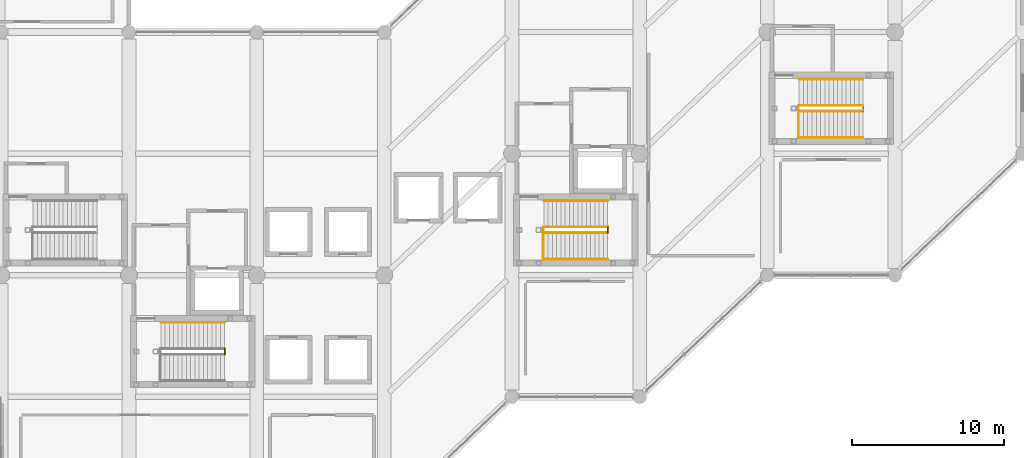
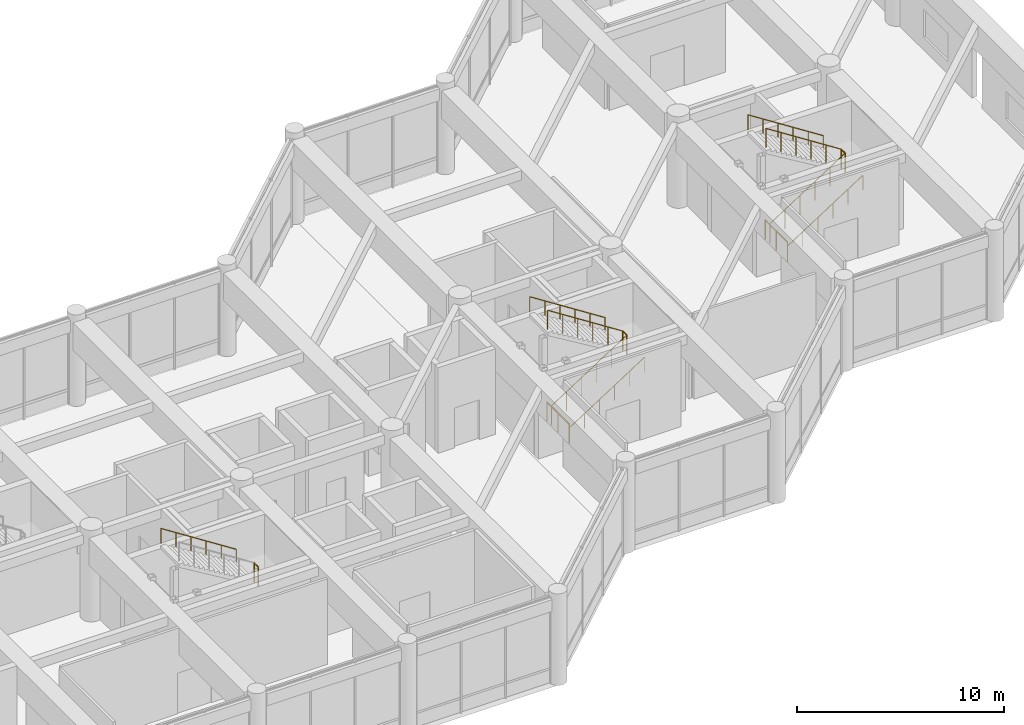
# One storey, part 79 of 79: 14 railings.
"""IFC4 building model written with IfcOpenShell, lengths in metres."""

from ifc_helpers import new_model, si_unit, direction, frame, origin, origin_2d, place, context, subcontext, project, spatial, circle, extrude, material, layer, layer_set, type_object, element, save


model = new_model("IFC4")

# Units and contexts
model_context = context("Model", 3, precision=1e-05, world=origin(), true_north=direction((0.0, 1.0)))
body_context = subcontext(model_context, "Body", "Model", "MODEL_VIEW")
ifc_project = project(units=[si_unit("LENGTHUNIT", "METRE"), si_unit("AREAUNIT", "SQUARE_METRE"), si_unit("VOLUMEUNIT", "CUBIC_METRE"), si_unit("PLANEANGLEUNIT", "RADIAN"), si_unit("MASSUNIT", "GRAM", prefix="KILO")], contexts=[model_context])

# Site, building, storey
site_placement = place(None, origin())
site = spatial("IfcSite", under=ifc_project, at=site_placement, CompositionType="ELEMENT")
building_placement = place(site_placement, origin())
building = spatial("IfcBuilding", under=site, at=building_placement, Name="Naruveol Harbour Congress Hotel", CompositionType="ELEMENT")
storey_placement = place(building_placement, frame((0.0, 0.0, 6.0)))
storey = spatial("IfcBuildingStorey", under=building, at=storey_placement, Name="L01", CompositionType="ELEMENT", Elevation=6.0)

# Railings
ifc_material_1 = material(Name="Stainless Steel 304", Category="steel")
ifc_layer_1 = layer(ifc_material_1, 0.0419921875)
ifc_layer_set_1 = layer_set([ifc_layer_1], Name="Stainless Steel 304")
railing_type_1 = type_object("IfcRailingType", Name="STAIR WALL MOUNTED HANDRAIL 900", PredefinedType="HANDRAIL", material=ifc_layer_set_1)
railing_1_placement = place(storey_placement, frame((132.300048828125, 12.89990234375, 2.699951171875)))
element("IfcRailing", 1, at=railing_1_placement, inside=storey, type_object=railing_type_1, Name="Stair ST1 L01 upper wall handrail", PredefinedType="HANDRAIL", context=body_context, shape_type="SweptSolid", body=[
    extrude(circle(Radius=0.02392578125, at=origin_2d()), frame((0.0, 0.0, 0.8759765625), z_axis=(-0.841180064094, 0.0, 0.540755119968), x_axis=(0.0, -1.0, 0.0)), (0.0, 0.0, 1.0), 4.992919921875),
    extrude(circle(Radius=0.02099609375, at=origin_2d()), origin(), (0.0, 0.0, 1.0), 0.851806640625),
    extrude(circle(Radius=0.02099609375, at=origin_2d()), frame((-0.840087890625, 0.0, 0.5400390625)), (0.0, 0.0, 1.0), 0.851806640625),
    extrude(circle(Radius=0.02099609375, at=origin_2d()), frame((-1.679931640625, 0.0, 1.080078125)), (0.0, 0.0, 1.0), 0.851806640625),
    extrude(circle(Radius=0.02099609375, at=origin_2d()), frame((-2.52001953125, 0.0, 1.619873046875)), (0.0, 0.0, 1.0), 0.851806640625),
    extrude(circle(Radius=0.02099609375, at=origin_2d()), frame((-3.35986328125, 0.0, 2.159912109375)), (0.0, 0.0, 1.0), 0.851806640625),
    extrude(circle(Radius=0.02099609375, at=origin_2d()), frame((-4.199951171875, 0.0, 2.699951171875)), (0.0, 0.0, 1.0), 0.851806640625),
])
railing_2_placement = place(storey_placement, frame((153.300048828125, 17.06005859375, 0.0)))
element("IfcRailing", 2, at=railing_2_placement, inside=storey, type_object=railing_type_1, Name="Stair ST2 L01 lower wall handrail", PredefinedType="HANDRAIL", context=body_context, shape_type="SweptSolid", body=[
    extrude(circle(Radius=0.02392578125, at=origin_2d()), frame((0.0, 0.0, 0.8759765625), z_axis=(0.841180064094, 0.0, 0.540755119968), x_axis=(0.0, 1.0, 0.0)), (0.0, 0.0, 1.0), 4.992919921875),
    extrude(circle(Radius=0.02099609375, at=origin_2d()), origin(), (0.0, 0.0, 1.0), 0.851806640625),
    extrude(circle(Radius=0.02099609375, at=origin_2d()), frame((0.840087890625, 0.0, 0.5400390625)), (0.0, 0.0, 1.0), 0.851806640625),
    extrude(circle(Radius=0.02099609375, at=origin_2d()), frame((1.679931640625, 0.0, 1.080078125)), (0.0, 0.0, 1.0), 0.851806640625),
    extrude(circle(Radius=0.02099609375, at=origin_2d()), frame((2.52001953125, 0.0, 1.619873046875)), (0.0, 0.0, 1.0), 0.851806640625),
    extrude(circle(Radius=0.02099609375, at=origin_2d()), frame((3.35986328125, 0.0, 2.159912109375)), (0.0, 0.0, 1.0), 0.851806640625),
    extrude(circle(Radius=0.02099609375, at=origin_2d()), frame((4.199951171875, 0.0, 2.699951171875)), (0.0, 0.0, 1.0), 0.851806640625),
])
railing_3_placement = place(storey_placement, frame((157.5, 20.89990234375, 2.699951171875)))
element("IfcRailing", 3, at=railing_3_placement, inside=storey, type_object=railing_type_1, Name="Stair ST2 L01 upper wall handrail", PredefinedType="HANDRAIL", context=body_context, shape_type="SweptSolid", body=[
    extrude(circle(Radius=0.02392578125, at=origin_2d()), frame((0.0, 0.0, 0.8759765625), z_axis=(-0.841180064094, 0.0, 0.540755119968), x_axis=(0.0, -1.0, 0.0)), (0.0, 0.0, 1.0), 4.992919921875),
    extrude(circle(Radius=0.02099609375, at=origin_2d()), origin(), (0.0, 0.0, 1.0), 0.851806640625),
    extrude(circle(Radius=0.02099609375, at=origin_2d()), frame((-0.840087890625, 0.0, 0.5400390625)), (0.0, 0.0, 1.0), 0.851806640625),
    extrude(circle(Radius=0.02099609375, at=origin_2d()), frame((-1.679931640625, 0.0, 1.080078125)), (0.0, 0.0, 1.0), 0.851806640625),
    extrude(circle(Radius=0.02099609375, at=origin_2d()), frame((-2.52001953125, 0.0, 1.619873046875)), (0.0, 0.0, 1.0), 0.851806640625),
    extrude(circle(Radius=0.02099609375, at=origin_2d()), frame((-3.35986328125, 0.0, 2.159912109375)), (0.0, 0.0, 1.0), 0.851806640625),
    extrude(circle(Radius=0.02099609375, at=origin_2d()), frame((-4.199951171875, 0.0, 2.699951171875)), (0.0, 0.0, 1.0), 0.851806640625),
])
railing_4_placement = place(storey_placement, frame((170.10009765625, 25.06005859375, 0.0)))
element("IfcRailing", 4, at=railing_4_placement, inside=storey, type_object=railing_type_1, Name="Stair ST4 L01 lower wall handrail", PredefinedType="HANDRAIL", context=body_context, shape_type="SweptSolid", body=[
    extrude(circle(Radius=0.02392578125, at=origin_2d()), frame((0.0, 0.0, 0.8759765625), z_axis=(0.841180064094, 0.0, 0.540755119968), x_axis=(0.0, 1.0, 0.0)), (0.0, 0.0, 1.0), 4.992919921875),
    extrude(circle(Radius=0.02099609375, at=origin_2d()), origin(), (0.0, 0.0, 1.0), 0.851806640625),
    extrude(circle(Radius=0.02099609375, at=origin_2d()), frame((0.840087890625, 0.0, 0.5400390625)), (0.0, 0.0, 1.0), 0.851806640625),
    extrude(circle(Radius=0.02099609375, at=origin_2d()), frame((1.679931640625, 0.0, 1.080078125)), (0.0, 0.0, 1.0), 0.851806640625),
    extrude(circle(Radius=0.02099609375, at=origin_2d()), frame((2.52001953125, 0.0, 1.619873046875)), (0.0, 0.0, 1.0), 0.851806640625),
    extrude(circle(Radius=0.02099609375, at=origin_2d()), frame((3.35986328125, 0.0, 2.159912109375)), (0.0, 0.0, 1.0), 0.851806640625),
    extrude(circle(Radius=0.02099609375, at=origin_2d()), frame((4.199951171875, 0.0, 2.699951171875)), (0.0, 0.0, 1.0), 0.851806640625),
])
railing_5_placement = place(storey_placement, frame((174.300048828125, 28.89990234375, 2.699951171875)))
element("IfcRailing", 5, at=railing_5_placement, inside=storey, type_object=railing_type_1, Name="Stair ST4 L01 upper wall handrail", PredefinedType="HANDRAIL", context=body_context, shape_type="SweptSolid", body=[
    extrude(circle(Radius=0.02392578125, at=origin_2d()), frame((0.0, 0.0, 0.8759765625), z_axis=(-0.841180064094, 0.0, 0.540755119968), x_axis=(0.0, -1.0, 0.0)), (0.0, 0.0, 1.0), 4.992919921875),
    extrude(circle(Radius=0.02099609375, at=origin_2d()), origin(), (0.0, 0.0, 1.0), 0.851806640625),
    extrude(circle(Radius=0.02099609375, at=origin_2d()), frame((-0.840087890625, 0.0, 0.5400390625)), (0.0, 0.0, 1.0), 0.851806640625),
    extrude(circle(Radius=0.02099609375, at=origin_2d()), frame((-1.679931640625, 0.0, 1.080078125)), (0.0, 0.0, 1.0), 0.851806640625),
    extrude(circle(Radius=0.02099609375, at=origin_2d()), frame((-2.52001953125, 0.0, 1.619873046875)), (0.0, 0.0, 1.0), 0.851806640625),
    extrude(circle(Radius=0.02099609375, at=origin_2d()), frame((-3.35986328125, 0.0, 2.159912109375)), (0.0, 0.0, 1.0), 0.851806640625),
    extrude(circle(Radius=0.02099609375, at=origin_2d()), frame((-4.199951171875, 0.0, 2.699951171875)), (0.0, 0.0, 1.0), 0.851806640625),
])
ifc_material_2 = material(Name="Steel SN490", Category="steel")
ifc_layer_2 = layer(ifc_material_2, 0.044921875)
ifc_layer_set_2 = layer_set([ifc_layer_2], Name="Steel SN490")
railing_type_2 = type_object("IfcRailingType", Name="STAIRWELL STEEL GUARDRAIL 1150", PredefinedType="GUARDRAIL", material=ifc_layer_set_2)
railing_6_placement = place(storey_placement, frame((132.300048828125, 10.7900390625, 2.699951171875)))
element("IfcRailing", 6, at=railing_6_placement, inside=storey, type_object=railing_type_2, Name="Stair ST1 L01 half-landing slot guard", PredefinedType="GUARDRAIL", context=body_context, shape_type="SweptSolid", body=[
    extrude(circle(Radius=0.02392578125, at=origin_2d()), frame((0.0, 0.0, 1.1259765625), z_axis=(0.0, 1.0, 0.0), x_axis=(-1.0, 0.0, 0.0)), (0.0, 0.0, 1.0), 0.3798828125),
    extrude(circle(Radius=0.02099609375, at=origin_2d()), origin(), (0.0, 0.0, 1.0), 1.101806640625),
    extrude(circle(Radius=0.02099609375, at=origin_2d()), frame((0.0, 0.3798828125, 0.0)), (0.0, 0.0, 1.0), 1.101806640625),
])
railing_7_placement = place(storey_placement, frame((153.300048828125, 18.7900390625, 0.0)))
element("IfcRailing", 7, at=railing_7_placement, inside=storey, type_object=railing_type_2, Name="Stair ST2 L01 lower well guard", PredefinedType="GUARDRAIL", context=body_context, shape_type="SweptSolid", body=[
    extrude(circle(Radius=0.02392578125, at=origin_2d()), frame((0.0, 0.0, 1.1259765625), z_axis=(0.841180064094, 0.0, 0.540755119968), x_axis=(0.0, 1.0, 0.0)), (0.0, 0.0, 1.0), 4.992919921875),
    extrude(circle(Radius=0.02099609375, at=origin_2d()), origin(), (0.0, 0.0, 1.0), 1.101806640625),
    extrude(circle(Radius=0.02099609375, at=origin_2d()), frame((0.840087890625, 0.0, 0.5400390625)), (0.0, 0.0, 1.0), 1.101806640625),
    extrude(circle(Radius=0.02099609375, at=origin_2d()), frame((1.679931640625, 0.0, 1.080078125)), (0.0, 0.0, 1.0), 1.101806640625),
    extrude(circle(Radius=0.02099609375, at=origin_2d()), frame((2.52001953125, 0.0, 1.619873046875)), (0.0, 0.0, 1.0), 1.101806640625),
    extrude(circle(Radius=0.02099609375, at=origin_2d()), frame((3.35986328125, 0.0, 2.159912109375)), (0.0, 0.0, 1.0), 1.101806640625),
    extrude(circle(Radius=0.02099609375, at=origin_2d()), frame((4.199951171875, 0.0, 2.699951171875)), (0.0, 0.0, 1.0), 1.101806640625),
])
railing_8_placement = place(storey_placement, frame((157.5, 18.7900390625, 2.699951171875)))
element("IfcRailing", 8, at=railing_8_placement, inside=storey, type_object=railing_type_2, Name="Stair ST2 L01 half-landing slot guard", PredefinedType="GUARDRAIL", context=body_context, shape_type="SweptSolid", body=[
    extrude(circle(Radius=0.02392578125, at=origin_2d()), frame((0.0, 0.0, 1.1259765625), z_axis=(0.0, 1.0, 0.0), x_axis=(-1.0, 0.0, 0.0)), (0.0, 0.0, 1.0), 0.3798828125),
    extrude(circle(Radius=0.02099609375, at=origin_2d()), origin(), (0.0, 0.0, 1.0), 1.101806640625),
    extrude(circle(Radius=0.02099609375, at=origin_2d()), frame((0.0, 0.3798828125, 0.0)), (0.0, 0.0, 1.0), 1.101806640625),
])
railing_9_placement = place(storey_placement, frame((157.5, 19.169921875, 2.699951171875)))
element("IfcRailing", 9, at=railing_9_placement, inside=storey, type_object=railing_type_2, Name="Stair ST2 L01 upper well guard", PredefinedType="GUARDRAIL", context=body_context, shape_type="SweptSolid", body=[
    extrude(circle(Radius=0.02392578125, at=origin_2d()), frame((0.0, 0.0, 1.1259765625), z_axis=(-0.841180064094, 0.0, 0.540755119968), x_axis=(0.0, -1.0, 0.0)), (0.0, 0.0, 1.0), 4.992919921875),
    extrude(circle(Radius=0.02099609375, at=origin_2d()), origin(), (0.0, 0.0, 1.0), 1.101806640625),
    extrude(circle(Radius=0.02099609375, at=origin_2d()), frame((-0.840087890625, 0.0, 0.5400390625)), (0.0, 0.0, 1.0), 1.101806640625),
    extrude(circle(Radius=0.02099609375, at=origin_2d()), frame((-1.679931640625, 0.0, 1.080078125)), (0.0, 0.0, 1.0), 1.101806640625),
    extrude(circle(Radius=0.02099609375, at=origin_2d()), frame((-2.52001953125, 0.0, 1.619873046875)), (0.0, 0.0, 1.0), 1.101806640625),
    extrude(circle(Radius=0.02099609375, at=origin_2d()), frame((-3.35986328125, 0.0, 2.159912109375)), (0.0, 0.0, 1.0), 1.101806640625),
    extrude(circle(Radius=0.02099609375, at=origin_2d()), frame((-4.199951171875, 0.0, 2.699951171875)), (0.0, 0.0, 1.0), 1.101806640625),
])
railing_10_placement = place(storey_placement, frame((153.260009765625, 17.02001953125, 0.0)))
element("IfcRailing", 10, at=railing_10_placement, inside=storey, type_object=railing_type_2, Name="Stair ST2 L01 landing well guard", PredefinedType="GUARDRAIL", context=body_context, shape_type="SweptSolid", body=[
    extrude(circle(Radius=0.02392578125, at=origin_2d()), frame((0.0, 0.0, 1.1259765625), z_axis=(0.0, 1.0, 0.0), x_axis=(-1.0, 0.0, 0.0)), (0.0, 0.0, 1.0), 2.14990234375),
    extrude(circle(Radius=0.02099609375, at=origin_2d()), origin(), (0.0, 0.0, 1.0), 1.101806640625),
    extrude(circle(Radius=0.02099609375, at=origin_2d()), frame((0.0, 1.074951171875, 0.0)), (0.0, 0.0, 1.0), 1.101806640625),
    extrude(circle(Radius=0.02099609375, at=origin_2d()), frame((0.0, 2.14990234375, 0.0)), (0.0, 0.0, 1.0), 1.101806640625),
])
railing_11_placement = place(storey_placement, frame((170.10009765625, 26.7900390625, 0.0)))
element("IfcRailing", 11, at=railing_11_placement, inside=storey, type_object=railing_type_2, Name="Stair ST4 L01 lower well guard", PredefinedType="GUARDRAIL", context=body_context, shape_type="SweptSolid", body=[
    extrude(circle(Radius=0.02392578125, at=origin_2d()), frame((0.0, 0.0, 1.1259765625), z_axis=(0.841180064094, 0.0, 0.540755119968), x_axis=(0.0, 1.0, 0.0)), (0.0, 0.0, 1.0), 4.992919921875),
    extrude(circle(Radius=0.02099609375, at=origin_2d()), origin(), (0.0, 0.0, 1.0), 1.101806640625),
    extrude(circle(Radius=0.02099609375, at=origin_2d()), frame((0.840087890625, 0.0, 0.5400390625)), (0.0, 0.0, 1.0), 1.101806640625),
    extrude(circle(Radius=0.02099609375, at=origin_2d()), frame((1.679931640625, 0.0, 1.080078125)), (0.0, 0.0, 1.0), 1.101806640625),
    extrude(circle(Radius=0.02099609375, at=origin_2d()), frame((2.52001953125, 0.0, 1.619873046875)), (0.0, 0.0, 1.0), 1.101806640625),
    extrude(circle(Radius=0.02099609375, at=origin_2d()), frame((3.35986328125, 0.0, 2.159912109375)), (0.0, 0.0, 1.0), 1.101806640625),
    extrude(circle(Radius=0.02099609375, at=origin_2d()), frame((4.199951171875, 0.0, 2.699951171875)), (0.0, 0.0, 1.0), 1.101806640625),
])
railing_12_placement = place(storey_placement, frame((174.300048828125, 26.7900390625, 2.699951171875)))
element("IfcRailing", 12, at=railing_12_placement, inside=storey, type_object=railing_type_2, Name="Stair ST4 L01 half-landing slot guard", PredefinedType="GUARDRAIL", context=body_context, shape_type="SweptSolid", body=[
    extrude(circle(Radius=0.02392578125, at=origin_2d()), frame((0.0, 0.0, 1.1259765625), z_axis=(0.0, 1.0, 0.0), x_axis=(-1.0, 0.0, 0.0)), (0.0, 0.0, 1.0), 0.3798828125),
    extrude(circle(Radius=0.02099609375, at=origin_2d()), origin(), (0.0, 0.0, 1.0), 1.101806640625),
    extrude(circle(Radius=0.02099609375, at=origin_2d()), frame((0.0, 0.3798828125, 0.0)), (0.0, 0.0, 1.0), 1.101806640625),
])
railing_13_placement = place(storey_placement, frame((174.300048828125, 27.169921875, 2.699951171875)))
element("IfcRailing", 13, at=railing_13_placement, inside=storey, type_object=railing_type_2, Name="Stair ST4 L01 upper well guard", PredefinedType="GUARDRAIL", context=body_context, shape_type="SweptSolid", body=[
    extrude(circle(Radius=0.02392578125, at=origin_2d()), frame((0.0, 0.0, 1.1259765625), z_axis=(-0.841180064094, 0.0, 0.540755119968), x_axis=(0.0, -1.0, 0.0)), (0.0, 0.0, 1.0), 4.992919921875),
    extrude(circle(Radius=0.02099609375, at=origin_2d()), origin(), (0.0, 0.0, 1.0), 1.101806640625),
    extrude(circle(Radius=0.02099609375, at=origin_2d()), frame((-0.840087890625, 0.0, 0.5400390625)), (0.0, 0.0, 1.0), 1.101806640625),
    extrude(circle(Radius=0.02099609375, at=origin_2d()), frame((-1.679931640625, 0.0, 1.080078125)), (0.0, 0.0, 1.0), 1.101806640625),
    extrude(circle(Radius=0.02099609375, at=origin_2d()), frame((-2.52001953125, 0.0, 1.619873046875)), (0.0, 0.0, 1.0), 1.101806640625),
    extrude(circle(Radius=0.02099609375, at=origin_2d()), frame((-3.35986328125, 0.0, 2.159912109375)), (0.0, 0.0, 1.0), 1.101806640625),
    extrude(circle(Radius=0.02099609375, at=origin_2d()), frame((-4.199951171875, 0.0, 2.699951171875)), (0.0, 0.0, 1.0), 1.101806640625),
])
railing_14_placement = place(storey_placement, frame((170.06005859375, 25.02001953125, 0.0)))
element("IfcRailing", 14, at=railing_14_placement, inside=storey, type_object=railing_type_2, Name="Stair ST4 L01 landing well guard", PredefinedType="GUARDRAIL", context=body_context, shape_type="SweptSolid", body=[
    extrude(circle(Radius=0.02392578125, at=origin_2d()), frame((0.0, 0.0, 1.1259765625), z_axis=(0.0, 1.0, 0.0), x_axis=(-1.0, 0.0, 0.0)), (0.0, 0.0, 1.0), 2.14990234375),
    extrude(circle(Radius=0.02099609375, at=origin_2d()), origin(), (0.0, 0.0, 1.0), 1.101806640625),
    extrude(circle(Radius=0.02099609375, at=origin_2d()), frame((0.0, 1.074951171875, 0.0)), (0.0, 0.0, 1.0), 1.101806640625),
    extrude(circle(Radius=0.02099609375, at=origin_2d()), frame((0.0, 2.14990234375, 0.0)), (0.0, 0.0, 1.0), 1.101806640625),
])

save(model, "model.ifc")
